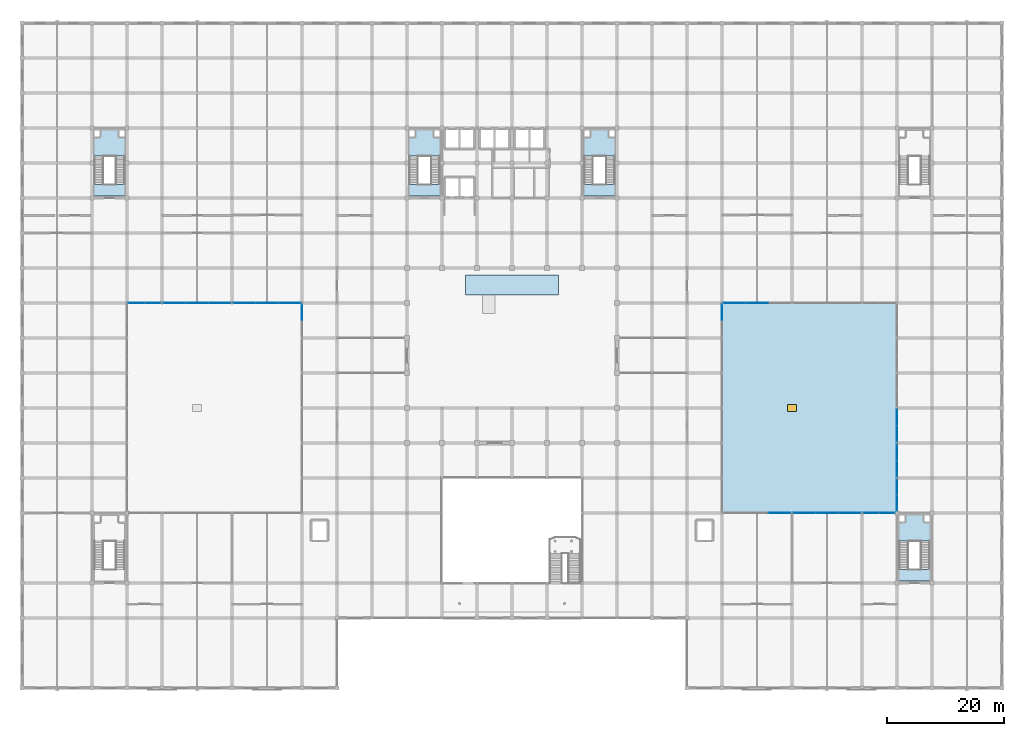
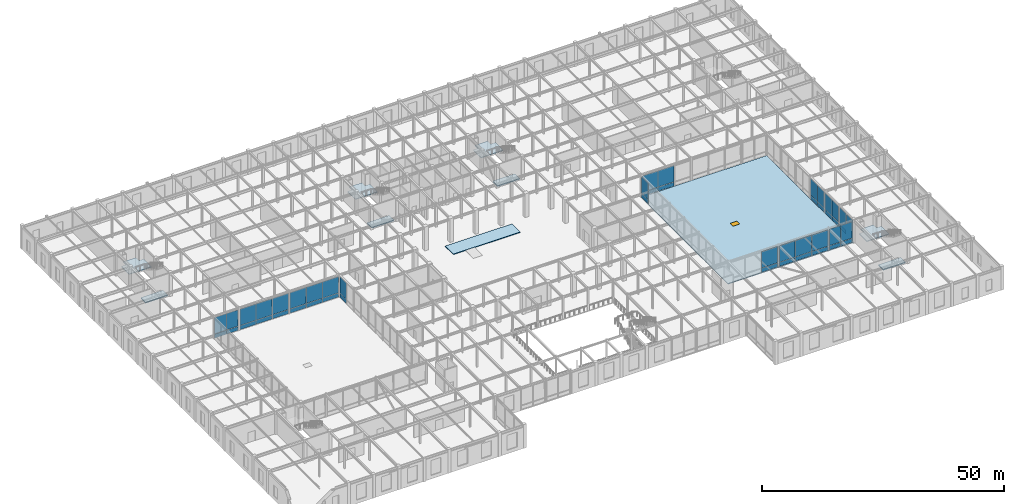
# One storey, part 95 of 108: 48 plates, 10 slabs, 1 window, 1 opening, 16 elements without a shape of their own.
"""IFC4 building model written with IfcOpenShell, lengths in metres."""

from ifc_helpers import new_model, si_unit, direction, frame, origin, origin_2d, place, context, subcontext, project, spatial, polyline, rectangle, outline, extrude, material, layer, layer_set, type_object, element, fill, aggregate, save


model = new_model("IFC4")

# Units and contexts
model_context = context("Model", 3, precision=1e-05, world=origin(), true_north=direction((0.0, 1.0)))
body_context = subcontext(model_context, "Body", "Model", "MODEL_VIEW")
ifc_project = project(units=[si_unit("LENGTHUNIT", "METRE"), si_unit("AREAUNIT", "SQUARE_METRE"), si_unit("VOLUMEUNIT", "CUBIC_METRE"), si_unit("PLANEANGLEUNIT", "RADIAN"), si_unit("MASSUNIT", "GRAM", prefix="KILO")], contexts=[model_context])

# Site, building, storey
site_placement = place(None, origin())
site = spatial("IfcSite", under=ifc_project, at=site_placement, CompositionType="ELEMENT")
building_placement = place(site_placement, origin())
building = spatial("IfcBuilding", under=site, at=building_placement, Name="Zlatovratsky Civic Hall", CompositionType="ELEMENT")
storey_placement = place(building_placement, frame((0.0, 0.0, 6.0)))
storey = spatial("IfcBuildingStorey", under=building, at=storey_placement, Name="L02", CompositionType="ELEMENT", Elevation=6.0)

# Curtain wall, plates
ifc_material_1 = material(Name="Anodised bronze aluminium", Category="aluminium")
ifc_layer_1 = layer(ifc_material_1, 0.159912109375)
ifc_layer_set_1 = layer_set([ifc_layer_1], Name="Anodised bronze aluminium")
curtain_wall_type_1 = type_object("IfcCurtainWallType", Name="CurtainWall_Bronze_5700x5310_06", PredefinedType="NOTDEFINED", material=ifc_layer_set_1)
curtain_wall_1_placement = place(storey_placement, origin())
curtain_wall_1 = element("IfcCurtainWall", 1, at=curtain_wall_1_placement, inside=storey, type_object=curtain_wall_type_1, Name="CW-012", PredefinedType="NOTDEFINED")
ifc_material_2 = material(Name="Low-E laminated double glazing", Category="glass")
ifc_layer_2 = layer(ifc_material_2, 0.02392578125)
ifc_layer_set_2 = layer_set([ifc_layer_2], Name="Low-E laminated double glazing")
plate_type = type_object("IfcPlateType", Name="Panel_CourtGlazing_24", PredefinedType="CURTAIN_PANEL", material=ifc_layer_set_2)
plate_1_placement = place(storey_placement, frame((19.590087890625, 66.0, 0.06005859375), z_axis=(0.0, 0.0, 1.0), x_axis=(1.0, 0.0, 0.0)))
plate_1 = element("IfcPlate", 2, at=plate_1_placement, type_object=plate_type, Name="CW-06 panel 1.1", PredefinedType="CURTAIN_PANEL", context=body_context, shape_type="SweptSolid", body=[
    extrude(rectangle(XDim=2.760009765625, YDim=0.02392578125, at=origin_2d()), origin(), (0.0, 0.0, 1.0), 1.010009765625),
])
plate_2_placement = place(storey_placement, frame((19.590087890625, 66.0, 1.1298828125), z_axis=(0.0, 0.0, 1.0), x_axis=(1.0, 0.0, 0.0)))
plate_2 = element("IfcPlate", 3, at=plate_2_placement, type_object=plate_type, Name="CW-06 panel 1.2", PredefinedType="CURTAIN_PANEL", context=body_context, shape_type="SweptSolid", body=[
    extrude(rectangle(XDim=2.760009765625, YDim=0.02392578125, at=origin_2d()), origin(), (0.0, 0.0, 1.0), 4.1201171875),
])
plate_3_placement = place(storey_placement, frame((22.409912109375, 66.0, 0.06005859375), z_axis=(0.0, 0.0, 1.0), x_axis=(1.0, 0.0, 0.0)))
plate_3 = element("IfcPlate", 4, at=plate_3_placement, type_object=plate_type, Name="CW-06 panel 2.1", PredefinedType="CURTAIN_PANEL", context=body_context, shape_type="SweptSolid", body=[
    extrude(rectangle(XDim=2.760009765625, YDim=0.02392578125, at=origin_2d()), origin(), (0.0, 0.0, 1.0), 1.010009765625),
])
plate_4_placement = place(storey_placement, frame((22.409912109375, 66.0, 1.1298828125), z_axis=(0.0, 0.0, 1.0), x_axis=(1.0, 0.0, 0.0)))
plate_4 = element("IfcPlate", 5, at=plate_4_placement, type_object=plate_type, Name="CW-06 panel 2.2", PredefinedType="CURTAIN_PANEL", context=body_context, shape_type="SweptSolid", body=[
    extrude(rectangle(XDim=2.760009765625, YDim=0.02392578125, at=origin_2d()), origin(), (0.0, 0.0, 1.0), 4.1201171875),
])
aggregate(curtain_wall_1, [plate_1, plate_2, plate_3, plate_4])

ifc_layer_3 = layer(ifc_material_1, 0.159912109375)
ifc_layer_set_3 = layer_set([ifc_layer_3], Name="Anodised bronze aluminium")
curtain_wall_type_2 = type_object("IfcCurtainWallType", Name="CurtainWall_Bronze_11700x5310_05", PredefinedType="NOTDEFINED", material=ifc_layer_set_3)
curtain_wall_2_placement = place(storey_placement, origin())
curtain_wall_2 = element("IfcCurtainWall", 6, at=curtain_wall_2_placement, inside=storey, type_object=curtain_wall_type_2, Name="CW-013", PredefinedType="NOTDEFINED")
plate_5_placement = place(storey_placement, frame((26.114990234375, 66.0, 0.06005859375), z_axis=(0.0, 0.0, 1.0), x_axis=(1.0, 0.0, 0.0)))
plate_5 = element("IfcPlate", 7, at=plate_5_placement, type_object=plate_type, Name="CW-05 panel 1.1", PredefinedType="CURTAIN_PANEL", context=body_context, shape_type="SweptSolid", body=[
    extrude(rectangle(XDim=3.81005859375, YDim=0.02392578125, at=origin_2d()), origin(), (0.0, 0.0, 1.0), 1.010009765625),
])
plate_6_placement = place(storey_placement, frame((26.114990234375, 66.0, 1.1298828125), z_axis=(0.0, 0.0, 1.0), x_axis=(1.0, 0.0, 0.0)))
plate_6 = element("IfcPlate", 8, at=plate_6_placement, type_object=plate_type, Name="CW-05 panel 1.2", PredefinedType="CURTAIN_PANEL", context=body_context, shape_type="SweptSolid", body=[
    extrude(rectangle(XDim=3.81005859375, YDim=0.02392578125, at=origin_2d()), origin(), (0.0, 0.0, 1.0), 4.1201171875),
])
plate_7_placement = place(storey_placement, frame((30.0, 66.0, 0.06005859375), z_axis=(0.0, 0.0, 1.0), x_axis=(1.0, 0.0, 0.0)))
plate_7 = element("IfcPlate", 9, at=plate_7_placement, type_object=plate_type, Name="CW-05 panel 2.1", PredefinedType="CURTAIN_PANEL", context=body_context, shape_type="SweptSolid", body=[
    extrude(rectangle(XDim=3.840087890625, YDim=0.02392578125, at=origin_2d()), origin(), (0.0, 0.0, 1.0), 1.010009765625),
])
plate_8_placement = place(storey_placement, frame((30.0, 66.0, 1.1298828125), z_axis=(0.0, 0.0, 1.0), x_axis=(1.0, 0.0, 0.0)))
plate_8 = element("IfcPlate", 10, at=plate_8_placement, type_object=plate_type, Name="CW-05 panel 2.2", PredefinedType="CURTAIN_PANEL", context=body_context, shape_type="SweptSolid", body=[
    extrude(rectangle(XDim=3.840087890625, YDim=0.02392578125, at=origin_2d()), origin(), (0.0, 0.0, 1.0), 4.1201171875),
])
plate_9_placement = place(storey_placement, frame((33.885009765625, 66.0, 0.06005859375), z_axis=(0.0, 0.0, 1.0), x_axis=(1.0, 0.0, 0.0)))
plate_9 = element("IfcPlate", 11, at=plate_9_placement, type_object=plate_type, Name="CW-05 panel 3.1", PredefinedType="CURTAIN_PANEL", context=body_context, shape_type="SweptSolid", body=[
    extrude(rectangle(XDim=3.81005859375, YDim=0.02392578125, at=origin_2d()), origin(), (0.0, 0.0, 1.0), 1.010009765625),
])
plate_10_placement = place(storey_placement, frame((33.885009765625, 66.0, 1.1298828125), z_axis=(0.0, 0.0, 1.0), x_axis=(1.0, 0.0, 0.0)))
plate_10 = element("IfcPlate", 12, at=plate_10_placement, type_object=plate_type, Name="CW-05 panel 3.2", PredefinedType="CURTAIN_PANEL", context=body_context, shape_type="SweptSolid", body=[
    extrude(rectangle(XDim=3.81005859375, YDim=0.02392578125, at=origin_2d()), origin(), (0.0, 0.0, 1.0), 4.1201171875),
])
aggregate(curtain_wall_2, [plate_5, plate_6, plate_7, plate_8, plate_9, plate_10])

curtain_wall_3_placement = place(storey_placement, origin())
curtain_wall_3 = element("IfcCurtainWall", 13, at=curtain_wall_3_placement, inside=storey, type_object=curtain_wall_type_2, Name="CW-014", PredefinedType="NOTDEFINED")
plate_11_placement = place(storey_placement, frame((38.114990234375, 66.0, 0.06005859375), z_axis=(0.0, 0.0, 1.0), x_axis=(1.0, 0.0, 0.0)))
plate_11 = element("IfcPlate", 14, at=plate_11_placement, type_object=plate_type, Name="CW-05 panel 1.1", PredefinedType="CURTAIN_PANEL", context=body_context, shape_type="SweptSolid", body=[
    extrude(rectangle(XDim=3.81005859375, YDim=0.02392578125, at=origin_2d()), origin(), (0.0, 0.0, 1.0), 1.010009765625),
])
plate_12_placement = place(storey_placement, frame((38.114990234375, 66.0, 1.1298828125), z_axis=(0.0, 0.0, 1.0), x_axis=(1.0, 0.0, 0.0)))
plate_12 = element("IfcPlate", 15, at=plate_12_placement, type_object=plate_type, Name="CW-05 panel 1.2", PredefinedType="CURTAIN_PANEL", context=body_context, shape_type="SweptSolid", body=[
    extrude(rectangle(XDim=3.81005859375, YDim=0.02392578125, at=origin_2d()), origin(), (0.0, 0.0, 1.0), 4.1201171875),
])
plate_13_placement = place(storey_placement, frame((42.0, 66.0, 0.06005859375), z_axis=(0.0, 0.0, 1.0), x_axis=(1.0, 0.0, 0.0)))
plate_13 = element("IfcPlate", 16, at=plate_13_placement, type_object=plate_type, Name="CW-05 panel 2.1", PredefinedType="CURTAIN_PANEL", context=body_context, shape_type="SweptSolid", body=[
    extrude(rectangle(XDim=3.840087890625, YDim=0.02392578125, at=origin_2d()), origin(), (0.0, 0.0, 1.0), 1.010009765625),
])
plate_14_placement = place(storey_placement, frame((42.0, 66.0, 1.1298828125), z_axis=(0.0, 0.0, 1.0), x_axis=(1.0, 0.0, 0.0)))
plate_14 = element("IfcPlate", 17, at=plate_14_placement, type_object=plate_type, Name="CW-05 panel 2.2", PredefinedType="CURTAIN_PANEL", context=body_context, shape_type="SweptSolid", body=[
    extrude(rectangle(XDim=3.840087890625, YDim=0.02392578125, at=origin_2d()), origin(), (0.0, 0.0, 1.0), 4.1201171875),
])
plate_15_placement = place(storey_placement, frame((45.885009765625, 66.0, 0.06005859375), z_axis=(0.0, 0.0, 1.0), x_axis=(1.0, 0.0, 0.0)))
plate_15 = element("IfcPlate", 18, at=plate_15_placement, type_object=plate_type, Name="CW-05 panel 3.1", PredefinedType="CURTAIN_PANEL", context=body_context, shape_type="SweptSolid", body=[
    extrude(rectangle(XDim=3.81005859375, YDim=0.02392578125, at=origin_2d()), origin(), (0.0, 0.0, 1.0), 1.010009765625),
])
plate_16_placement = place(storey_placement, frame((45.885009765625, 66.0, 1.1298828125), z_axis=(0.0, 0.0, 1.0), x_axis=(1.0, 0.0, 0.0)))
plate_16 = element("IfcPlate", 19, at=plate_16_placement, type_object=plate_type, Name="CW-05 panel 3.2", PredefinedType="CURTAIN_PANEL", context=body_context, shape_type="SweptSolid", body=[
    extrude(rectangle(XDim=3.81005859375, YDim=0.02392578125, at=origin_2d()), origin(), (0.0, 0.0, 1.0), 4.1201171875),
])
aggregate(curtain_wall_3, [plate_11, plate_12, plate_13, plate_14, plate_15, plate_16])

curtain_wall_4_placement = place(storey_placement, origin())
curtain_wall_4 = element("IfcCurtainWall", 20, at=curtain_wall_4_placement, inside=storey, type_object=curtain_wall_type_1, Name="CW-026", PredefinedType="NOTDEFINED")
plate_17_placement = place(storey_placement, frame((48.0, 64.409912109375, 0.06005859375), z_axis=(0.0, 0.0, 1.0), x_axis=(0.0, 1.0, 0.0)))
plate_17 = element("IfcPlate", 21, at=plate_17_placement, type_object=plate_type, Name="CW-06 panel 2.1", PredefinedType="CURTAIN_PANEL", context=body_context, shape_type="SweptSolid", body=[
    extrude(rectangle(XDim=2.760009765625, YDim=0.02392578125, at=origin_2d()), origin(), (0.0, 0.0, 1.0), 1.010009765625),
])
plate_18_placement = place(storey_placement, frame((48.0, 64.409912109375, 1.1298828125), z_axis=(0.0, 0.0, 1.0), x_axis=(0.0, 1.0, 0.0)))
plate_18 = element("IfcPlate", 22, at=plate_18_placement, type_object=plate_type, Name="CW-06 panel 2.2", PredefinedType="CURTAIN_PANEL", context=body_context, shape_type="SweptSolid", body=[
    extrude(rectangle(XDim=2.760009765625, YDim=0.02392578125, at=origin_2d()), origin(), (0.0, 0.0, 1.0), 4.1201171875),
])
aggregate(curtain_wall_4, [plate_17, plate_18])

curtain_wall_5_placement = place(storey_placement, origin())
curtain_wall_5 = element("IfcCurtainWall", 23, at=curtain_wall_5_placement, inside=storey, type_object=curtain_wall_type_2, Name="CW-027", PredefinedType="NOTDEFINED")
plate_19_placement = place(storey_placement, frame((129.885009765625, 30.0, 0.06005859375), z_axis=(0.0, 0.0, 1.0), x_axis=(1.0, 0.0, 0.0)))
plate_19 = element("IfcPlate", 24, at=plate_19_placement, type_object=plate_type, Name="CW-05 panel 3.1", PredefinedType="CURTAIN_PANEL", context=body_context, shape_type="SweptSolid", body=[
    extrude(rectangle(XDim=3.81005859375, YDim=0.02392578125, at=origin_2d()), origin(), (0.0, 0.0, 1.0), 1.010009765625),
])
plate_20_placement = place(storey_placement, frame((129.885009765625, 30.0, 1.1298828125), z_axis=(0.0, 0.0, 1.0), x_axis=(1.0, 0.0, 0.0)))
plate_20 = element("IfcPlate", 25, at=plate_20_placement, type_object=plate_type, Name="CW-05 panel 3.2", PredefinedType="CURTAIN_PANEL", context=body_context, shape_type="SweptSolid", body=[
    extrude(rectangle(XDim=3.81005859375, YDim=0.02392578125, at=origin_2d()), origin(), (0.0, 0.0, 1.0), 4.1201171875),
])
aggregate(curtain_wall_5, [plate_19, plate_20])

curtain_wall_6_placement = place(storey_placement, origin())
curtain_wall_6 = element("IfcCurtainWall", 26, at=curtain_wall_6_placement, inside=storey, type_object=curtain_wall_type_2, Name="CW-028", PredefinedType="NOTDEFINED")
plate_21_placement = place(storey_placement, frame((134.114990234375, 30.0, 0.06005859375), z_axis=(0.0, 0.0, 1.0), x_axis=(1.0, 0.0, 0.0)))
plate_21 = element("IfcPlate", 27, at=plate_21_placement, type_object=plate_type, Name="CW-05 panel 1.1", PredefinedType="CURTAIN_PANEL", context=body_context, shape_type="SweptSolid", body=[
    extrude(rectangle(XDim=3.81005859375, YDim=0.02392578125, at=origin_2d()), origin(), (0.0, 0.0, 1.0), 1.010009765625),
])
plate_22_placement = place(storey_placement, frame((134.114990234375, 30.0, 1.1298828125), z_axis=(0.0, 0.0, 1.0), x_axis=(1.0, 0.0, 0.0)))
plate_22 = element("IfcPlate", 28, at=plate_22_placement, type_object=plate_type, Name="CW-05 panel 1.2", PredefinedType="CURTAIN_PANEL", context=body_context, shape_type="SweptSolid", body=[
    extrude(rectangle(XDim=3.81005859375, YDim=0.02392578125, at=origin_2d()), origin(), (0.0, 0.0, 1.0), 4.1201171875),
])
plate_23_placement = place(storey_placement, frame((138.0, 30.0, 0.06005859375), z_axis=(0.0, 0.0, 1.0), x_axis=(1.0, 0.0, 0.0)))
plate_23 = element("IfcPlate", 29, at=plate_23_placement, type_object=plate_type, Name="CW-05 panel 2.1", PredefinedType="CURTAIN_PANEL", context=body_context, shape_type="SweptSolid", body=[
    extrude(rectangle(XDim=3.840087890625, YDim=0.02392578125, at=origin_2d()), origin(), (0.0, 0.0, 1.0), 1.010009765625),
])
plate_24_placement = place(storey_placement, frame((138.0, 30.0, 1.1298828125), z_axis=(0.0, 0.0, 1.0), x_axis=(1.0, 0.0, 0.0)))
plate_24 = element("IfcPlate", 30, at=plate_24_placement, type_object=plate_type, Name="CW-05 panel 2.2", PredefinedType="CURTAIN_PANEL", context=body_context, shape_type="SweptSolid", body=[
    extrude(rectangle(XDim=3.840087890625, YDim=0.02392578125, at=origin_2d()), origin(), (0.0, 0.0, 1.0), 4.1201171875),
])
plate_25_placement = place(storey_placement, frame((141.885009765625, 30.0, 0.06005859375), z_axis=(0.0, 0.0, 1.0), x_axis=(1.0, 0.0, 0.0)))
plate_25 = element("IfcPlate", 31, at=plate_25_placement, type_object=plate_type, Name="CW-05 panel 3.1", PredefinedType="CURTAIN_PANEL", context=body_context, shape_type="SweptSolid", body=[
    extrude(rectangle(XDim=3.81005859375, YDim=0.02392578125, at=origin_2d()), origin(), (0.0, 0.0, 1.0), 1.010009765625),
])
plate_26_placement = place(storey_placement, frame((141.885009765625, 30.0, 1.1298828125), z_axis=(0.0, 0.0, 1.0), x_axis=(1.0, 0.0, 0.0)))
plate_26 = element("IfcPlate", 32, at=plate_26_placement, type_object=plate_type, Name="CW-05 panel 3.2", PredefinedType="CURTAIN_PANEL", context=body_context, shape_type="SweptSolid", body=[
    extrude(rectangle(XDim=3.81005859375, YDim=0.02392578125, at=origin_2d()), origin(), (0.0, 0.0, 1.0), 4.1201171875),
])
aggregate(curtain_wall_6, [plate_21, plate_22, plate_23, plate_24, plate_25, plate_26])

ifc_layer_4 = layer(ifc_material_1, 0.159912109375)
ifc_layer_set_4 = layer_set([ifc_layer_4], Name="Anodised bronze aluminium")
curtain_wall_type_3 = type_object("IfcCurtainWallType", Name="CurtainWall_Bronze_5500x5310_04", PredefinedType="NOTDEFINED", material=ifc_layer_set_4)
curtain_wall_7_placement = place(storey_placement, origin())
curtain_wall_7 = element("IfcCurtainWall", 33, at=curtain_wall_7_placement, inside=storey, type_object=curtain_wall_type_3, Name="CW-029", PredefinedType="NOTDEFINED")
plate_27_placement = place(storey_placement, frame((145.5400390625, 30.0, 0.06005859375), z_axis=(0.0, 0.0, 1.0), x_axis=(1.0, 0.0, 0.0)))
plate_27 = element("IfcPlate", 34, at=plate_27_placement, type_object=plate_type, Name="CW-04 panel 1.1", PredefinedType="CURTAIN_PANEL", context=body_context, shape_type="SweptSolid", body=[
    extrude(rectangle(XDim=2.659912109375, YDim=0.02392578125, at=origin_2d()), origin(), (0.0, 0.0, 1.0), 1.010009765625),
])
plate_28_placement = place(storey_placement, frame((145.5400390625, 30.0, 1.1298828125), z_axis=(0.0, 0.0, 1.0), x_axis=(1.0, 0.0, 0.0)))
plate_28 = element("IfcPlate", 35, at=plate_28_placement, type_object=plate_type, Name="CW-04 panel 1.2", PredefinedType="CURTAIN_PANEL", context=body_context, shape_type="SweptSolid", body=[
    extrude(rectangle(XDim=2.659912109375, YDim=0.02392578125, at=origin_2d()), origin(), (0.0, 0.0, 1.0), 4.1201171875),
])
plate_29_placement = place(storey_placement, frame((148.260009765625, 30.0, 0.06005859375), z_axis=(0.0, 0.0, 1.0), x_axis=(1.0, 0.0, 0.0)))
plate_29 = element("IfcPlate", 36, at=plate_29_placement, type_object=plate_type, Name="CW-04 panel 2.1", PredefinedType="CURTAIN_PANEL", context=body_context, shape_type="SweptSolid", body=[
    extrude(rectangle(XDim=2.659912109375, YDim=0.02392578125, at=origin_2d()), origin(), (0.0, 0.0, 1.0), 1.010009765625),
])
plate_30_placement = place(storey_placement, frame((148.260009765625, 30.0, 1.1298828125), z_axis=(0.0, 0.0, 1.0), x_axis=(1.0, 0.0, 0.0)))
plate_30 = element("IfcPlate", 37, at=plate_30_placement, type_object=plate_type, Name="CW-04 panel 2.2", PredefinedType="CURTAIN_PANEL", context=body_context, shape_type="SweptSolid", body=[
    extrude(rectangle(XDim=2.659912109375, YDim=0.02392578125, at=origin_2d()), origin(), (0.0, 0.0, 1.0), 4.1201171875),
])
aggregate(curtain_wall_7, [plate_27, plate_28, plate_29, plate_30])

curtain_wall_8_placement = place(storey_placement, origin())
curtain_wall_8 = element("IfcCurtainWall", 38, at=curtain_wall_8_placement, inside=storey, type_object=curtain_wall_type_2, Name="CW-030", PredefinedType="NOTDEFINED")
plate_31_placement = place(storey_placement, frame((122.114990234375, 66.0, 0.06005859375), z_axis=(0.0, 0.0, 1.0), x_axis=(1.0, 0.0, 0.0)))
plate_31 = element("IfcPlate", 39, at=plate_31_placement, type_object=plate_type, Name="CW-05 panel 1.1", PredefinedType="CURTAIN_PANEL", context=body_context, shape_type="SweptSolid", body=[
    extrude(rectangle(XDim=3.81005859375, YDim=0.02392578125, at=origin_2d()), origin(), (0.0, 0.0, 1.0), 1.010009765625),
])
plate_32_placement = place(storey_placement, frame((122.114990234375, 66.0, 1.1298828125), z_axis=(0.0, 0.0, 1.0), x_axis=(1.0, 0.0, 0.0)))
plate_32 = element("IfcPlate", 40, at=plate_32_placement, type_object=plate_type, Name="CW-05 panel 1.2", PredefinedType="CURTAIN_PANEL", context=body_context, shape_type="SweptSolid", body=[
    extrude(rectangle(XDim=3.81005859375, YDim=0.02392578125, at=origin_2d()), origin(), (0.0, 0.0, 1.0), 4.1201171875),
])
plate_33_placement = place(storey_placement, frame((126.0, 66.0, 0.06005859375), z_axis=(0.0, 0.0, 1.0), x_axis=(1.0, 0.0, 0.0)))
plate_33 = element("IfcPlate", 41, at=plate_33_placement, type_object=plate_type, Name="CW-05 panel 2.1", PredefinedType="CURTAIN_PANEL", context=body_context, shape_type="SweptSolid", body=[
    extrude(rectangle(XDim=3.840087890625, YDim=0.02392578125, at=origin_2d()), origin(), (0.0, 0.0, 1.0), 1.010009765625),
])
plate_34_placement = place(storey_placement, frame((126.0, 66.0, 1.1298828125), z_axis=(0.0, 0.0, 1.0), x_axis=(1.0, 0.0, 0.0)))
plate_34 = element("IfcPlate", 42, at=plate_34_placement, type_object=plate_type, Name="CW-05 panel 2.2", PredefinedType="CURTAIN_PANEL", context=body_context, shape_type="SweptSolid", body=[
    extrude(rectangle(XDim=3.840087890625, YDim=0.02392578125, at=origin_2d()), origin(), (0.0, 0.0, 1.0), 4.1201171875),
])
aggregate(curtain_wall_8, [plate_31, plate_32, plate_33, plate_34])

curtain_wall_9_placement = place(storey_placement, origin())
curtain_wall_9 = element("IfcCurtainWall", 43, at=curtain_wall_9_placement, inside=storey, type_object=curtain_wall_type_1, Name="CW-038", PredefinedType="NOTDEFINED")
plate_35_placement = place(storey_placement, frame((120.0, 64.409912109375, 0.06005859375), z_axis=(0.0, 0.0, 1.0), x_axis=(0.0, 1.0, 0.0)))
plate_35 = element("IfcPlate", 44, at=plate_35_placement, type_object=plate_type, Name="CW-06 panel 2.1", PredefinedType="CURTAIN_PANEL", context=body_context, shape_type="SweptSolid", body=[
    extrude(rectangle(XDim=2.760009765625, YDim=0.02392578125, at=origin_2d()), origin(), (0.0, 0.0, 1.0), 1.010009765625),
])
plate_36_placement = place(storey_placement, frame((120.0, 64.409912109375, 1.1298828125), z_axis=(0.0, 0.0, 1.0), x_axis=(0.0, 1.0, 0.0)))
plate_36 = element("IfcPlate", 45, at=plate_36_placement, type_object=plate_type, Name="CW-06 panel 2.2", PredefinedType="CURTAIN_PANEL", context=body_context, shape_type="SweptSolid", body=[
    extrude(rectangle(XDim=2.760009765625, YDim=0.02392578125, at=origin_2d()), origin(), (0.0, 0.0, 1.0), 4.1201171875),
])
aggregate(curtain_wall_9, [plate_35, plate_36])

curtain_wall_10_placement = place(storey_placement, origin())
curtain_wall_10 = element("IfcCurtainWall", 46, at=curtain_wall_10_placement, inside=storey, type_object=curtain_wall_type_3, Name="CW-039", PredefinedType="NOTDEFINED")
plate_37_placement = place(storey_placement, frame((150.0, 31.739990234375, 0.06005859375), z_axis=(0.0, 0.0, 1.0), x_axis=(0.0, 1.0, 0.0)))
plate_37 = element("IfcPlate", 47, at=plate_37_placement, type_object=plate_type, Name="CW-04 panel 1.1", PredefinedType="CURTAIN_PANEL", context=body_context, shape_type="SweptSolid", body=[
    extrude(rectangle(XDim=2.659912109375, YDim=0.02392578125, at=origin_2d()), origin(), (0.0, 0.0, 1.0), 1.010009765625),
])
plate_38_placement = place(storey_placement, frame((150.0, 31.739990234375, 1.1298828125), z_axis=(0.0, 0.0, 1.0), x_axis=(0.0, 1.0, 0.0)))
plate_38 = element("IfcPlate", 48, at=plate_38_placement, type_object=plate_type, Name="CW-04 panel 1.2", PredefinedType="CURTAIN_PANEL", context=body_context, shape_type="SweptSolid", body=[
    extrude(rectangle(XDim=2.659912109375, YDim=0.02392578125, at=origin_2d()), origin(), (0.0, 0.0, 1.0), 4.1201171875),
])
plate_39_placement = place(storey_placement, frame((150.0, 34.4599609375, 0.06005859375), z_axis=(0.0, 0.0, 1.0), x_axis=(0.0, 1.0, 0.0)))
plate_39 = element("IfcPlate", 49, at=plate_39_placement, type_object=plate_type, Name="CW-04 panel 2.1", PredefinedType="CURTAIN_PANEL", context=body_context, shape_type="SweptSolid", body=[
    extrude(rectangle(XDim=2.659912109375, YDim=0.02392578125, at=origin_2d()), origin(), (0.0, 0.0, 1.0), 1.010009765625),
])
plate_40_placement = place(storey_placement, frame((150.0, 34.4599609375, 1.1298828125), z_axis=(0.0, 0.0, 1.0), x_axis=(0.0, 1.0, 0.0)))
plate_40 = element("IfcPlate", 50, at=plate_40_placement, type_object=plate_type, Name="CW-04 panel 2.2", PredefinedType="CURTAIN_PANEL", context=body_context, shape_type="SweptSolid", body=[
    extrude(rectangle(XDim=2.659912109375, YDim=0.02392578125, at=origin_2d()), origin(), (0.0, 0.0, 1.0), 4.1201171875),
])
aggregate(curtain_wall_10, [plate_37, plate_38, plate_39, plate_40])

curtain_wall_11_placement = place(storey_placement, origin())
curtain_wall_11 = element("IfcCurtainWall", 51, at=curtain_wall_11_placement, inside=storey, type_object=curtain_wall_type_1, Name="CW-040", PredefinedType="NOTDEFINED")
plate_41_placement = place(storey_placement, frame((150.0, 37.590087890625, 0.06005859375), z_axis=(0.0, 0.0, 1.0), x_axis=(0.0, 1.0, 0.0)))
plate_41 = element("IfcPlate", 52, at=plate_41_placement, type_object=plate_type, Name="CW-06 panel 1.1", PredefinedType="CURTAIN_PANEL", context=body_context, shape_type="SweptSolid", body=[
    extrude(rectangle(XDim=2.760009765625, YDim=0.02392578125, at=origin_2d()), origin(), (0.0, 0.0, 1.0), 1.010009765625),
])
plate_42_placement = place(storey_placement, frame((150.0, 37.590087890625, 1.1298828125), z_axis=(0.0, 0.0, 1.0), x_axis=(0.0, 1.0, 0.0)))
plate_42 = element("IfcPlate", 53, at=plate_42_placement, type_object=plate_type, Name="CW-06 panel 1.2", PredefinedType="CURTAIN_PANEL", context=body_context, shape_type="SweptSolid", body=[
    extrude(rectangle(XDim=2.760009765625, YDim=0.02392578125, at=origin_2d()), origin(), (0.0, 0.0, 1.0), 4.1201171875),
])
plate_43_placement = place(storey_placement, frame((150.0, 40.409912109375, 0.06005859375), z_axis=(0.0, 0.0, 1.0), x_axis=(0.0, 1.0, 0.0)))
plate_43 = element("IfcPlate", 54, at=plate_43_placement, type_object=plate_type, Name="CW-06 panel 2.1", PredefinedType="CURTAIN_PANEL", context=body_context, shape_type="SweptSolid", body=[
    extrude(rectangle(XDim=2.760009765625, YDim=0.02392578125, at=origin_2d()), origin(), (0.0, 0.0, 1.0), 1.010009765625),
])
plate_44_placement = place(storey_placement, frame((150.0, 40.409912109375, 1.1298828125), z_axis=(0.0, 0.0, 1.0), x_axis=(0.0, 1.0, 0.0)))
plate_44 = element("IfcPlate", 55, at=plate_44_placement, type_object=plate_type, Name="CW-06 panel 2.2", PredefinedType="CURTAIN_PANEL", context=body_context, shape_type="SweptSolid", body=[
    extrude(rectangle(XDim=2.760009765625, YDim=0.02392578125, at=origin_2d()), origin(), (0.0, 0.0, 1.0), 4.1201171875),
])
aggregate(curtain_wall_11, [plate_41, plate_42, plate_43, plate_44])

curtain_wall_12_placement = place(storey_placement, origin())
curtain_wall_12 = element("IfcCurtainWall", 56, at=curtain_wall_12_placement, inside=storey, type_object=curtain_wall_type_1, Name="CW-041", PredefinedType="NOTDEFINED")
plate_45_placement = place(storey_placement, frame((150.0, 43.590087890625, 0.06005859375), z_axis=(0.0, 0.0, 1.0), x_axis=(0.0, 1.0, 0.0)))
plate_45 = element("IfcPlate", 57, at=plate_45_placement, type_object=plate_type, Name="CW-06 panel 1.1", PredefinedType="CURTAIN_PANEL", context=body_context, shape_type="SweptSolid", body=[
    extrude(rectangle(XDim=2.760009765625, YDim=0.02392578125, at=origin_2d()), origin(), (0.0, 0.0, 1.0), 1.010009765625),
])
plate_46_placement = place(storey_placement, frame((150.0, 43.590087890625, 1.1298828125), z_axis=(0.0, 0.0, 1.0), x_axis=(0.0, 1.0, 0.0)))
plate_46 = element("IfcPlate", 58, at=plate_46_placement, type_object=plate_type, Name="CW-06 panel 1.2", PredefinedType="CURTAIN_PANEL", context=body_context, shape_type="SweptSolid", body=[
    extrude(rectangle(XDim=2.760009765625, YDim=0.02392578125, at=origin_2d()), origin(), (0.0, 0.0, 1.0), 4.1201171875),
])
plate_47_placement = place(storey_placement, frame((150.0, 46.409912109375, 0.06005859375), z_axis=(0.0, 0.0, 1.0), x_axis=(0.0, 1.0, 0.0)))
plate_47 = element("IfcPlate", 59, at=plate_47_placement, type_object=plate_type, Name="CW-06 panel 2.1", PredefinedType="CURTAIN_PANEL", context=body_context, shape_type="SweptSolid", body=[
    extrude(rectangle(XDim=2.760009765625, YDim=0.02392578125, at=origin_2d()), origin(), (0.0, 0.0, 1.0), 1.010009765625),
])
plate_48_placement = place(storey_placement, frame((150.0, 46.409912109375, 1.1298828125), z_axis=(0.0, 0.0, 1.0), x_axis=(0.0, 1.0, 0.0)))
plate_48 = element("IfcPlate", 60, at=plate_48_placement, type_object=plate_type, Name="CW-06 panel 2.2", PredefinedType="CURTAIN_PANEL", context=body_context, shape_type="SweptSolid", body=[
    extrude(rectangle(XDim=2.760009765625, YDim=0.02392578125, at=origin_2d()), origin(), (0.0, 0.0, 1.0), 4.1201171875),
])
aggregate(curtain_wall_12, [plate_45, plate_46, plate_47, plate_48])

# Slab, opening, window
ifc_material_3 = material(Name="Concrete C35/45 (B40)", Category="concrete")
ifc_layer_5 = layer(ifc_material_3, 0.199951171875)
ifc_layer_set_5 = layer_set([ifc_layer_5], Name="Concrete C35/45 (B40)")
slab_type_1 = type_object("IfcSlabType", Name="Slab_ChamberCofferedRoof_200", PredefinedType="ROOF", material=ifc_layer_set_5)
slab_1_placement = place(storey_placement, frame((0.0, 0.0, -0.199951171875)))
slab_1 = element("IfcSlab", 61, at=slab_1_placement, inside=storey, type_object=slab_type_1, Name="SL-095", PredefinedType="ROOF", context=body_context, shape_type="SweptSolid", body=[
    extrude(outline(polyline([(120.0, 30.0), (150.0, 30.0), (150.0, 66.0), (120.0, 66.0), (120.0, 30.0)])), origin(), (0.0, 0.0, 1.0), 0.199951171875),
])
opening_placement = place(slab_1_placement, frame((132.0, 48.0, 0.0)))
opening = element("IfcOpeningElement", 62, at=opening_placement, cuts=slab_1, Name="Opening SK-07", PredefinedType="OPENING", context=body_context, shape_type="SweptSolid", body=[
    extrude(rectangle(XDim=1.60009765625, YDim=1.199951171875, at=origin_2d()), frame((0.0, 0.0, -0.014892578125)), (0.0, 0.0, 1.0), 0.229736328125),
])
ifc_material_4 = material(Name="Laminated safety rooflight glazing", Category="glass")
window_type = type_object("IfcWindowType", Name="Skylight_PodiumRoofHatch_1600x1200", PartitioningType="SINGLE_PANEL", PredefinedType="SKYLIGHT", material=ifc_material_4)
window_placement = place(opening_placement, frame((0.0, 0.0, 0.14990234375)))
window = element("IfcWindow", 63, at=window_placement, inside=storey, type_object=window_type, Name="WN-0556", OverallHeight=1.199951171875, OverallWidth=1.60009765625, PartitioningType="SINGLE_PANEL", PredefinedType="SKYLIGHT", context=body_context, shape_type="SweptSolid", body=[
    extrude(rectangle(XDim=1.60009765625, YDim=1.199951171875, at=origin_2d()), origin(), (0.0, 0.0, 1.0), 0.050048828125),
])
fill(opening, window)

# Slabs
ifc_material_5 = material(Name="Concrete C30/37 (B35)", Category="concrete")
ifc_layer_6 = layer(ifc_material_5, 0.239990234375)
ifc_layer_set_6 = layer_set([ifc_layer_6], Name="Concrete C30/37 (B35)")
slab_type_2 = type_object("IfcSlabType", Name="Slab_CivicPodiumFloor_240", PredefinedType="FLOOR", material=ifc_layer_set_6)
slab_2_placement = place(storey_placement, frame((0.0, 0.0, -0.239990234375)))
element("IfcSlab", 64, at=slab_2_placement, inside=storey, type_object=slab_type_2, Name="SL-023", PredefinedType="FLOOR", context=body_context, shape_type="SweptSolid", body=[
    extrude(outline(polyline([(66.35009765625, 84.35009765625), (71.64990234375, 84.35009765625), (71.64990234375, 86.35009765625), (66.35009765625, 86.35009765625), (66.35009765625, 84.35009765625)])), origin(), (0.0, 0.0, 1.0), 0.239990234375),
])
slab_3_placement = place(storey_placement, frame((0.0, 0.0, -0.239990234375)))
element("IfcSlab", 65, at=slab_3_placement, inside=storey, type_object=slab_type_2, Name="SL-024", PredefinedType="FLOOR", context=body_context, shape_type="SweptSolid", body=[
    extrude(outline(polyline([(96.35009765625, 84.35009765625), (101.64990234375, 84.35009765625), (101.64990234375, 86.35009765625), (96.35009765625, 86.35009765625), (96.35009765625, 84.35009765625)])), origin(), (0.0, 0.0, 1.0), 0.239990234375),
])
slab_4_placement = place(storey_placement, frame((0.0, 0.0, -0.239990234375)))
element("IfcSlab", 66, at=slab_4_placement, inside=storey, type_object=slab_type_2, Name="SL-026", PredefinedType="FLOOR", context=body_context, shape_type="SweptSolid", body=[
    extrude(outline(polyline([(150.35009765625, 18.35009765625), (155.64990234375, 18.35009765625), (155.64990234375, 20.35009765625), (150.35009765625, 20.35009765625), (150.35009765625, 18.35009765625)])), origin(), (0.0, 0.0, 1.0), 0.239990234375),
])
slab_5_placement = place(storey_placement, frame((0.0, 0.0, -0.239990234375)))
element("IfcSlab", 67, at=slab_5_placement, inside=storey, type_object=slab_type_2, Name="SL-027", PredefinedType="FLOOR", context=body_context, shape_type="SweptSolid", body=[
    extrude(outline(polyline([(12.35009765625, 84.35009765625), (17.64990234375, 84.35009765625), (17.64990234375, 86.35009765625), (12.35009765625, 86.35009765625), (12.35009765625, 84.35009765625)])), origin(), (0.0, 0.0, 1.0), 0.239990234375),
])

# Stair, slab
stair_type_1 = type_object("IfcStairType", Name="Stair_HALF_36R_1550W_02", PredefinedType="HALF_TURN_STAIR", material=ifc_material_5)
stair_1_placement = place(storey_placement, origin())
stair_1 = element("IfcStair", 68, at=stair_1_placement, inside=storey, type_object=stair_type_1, Name="ST-003", PredefinedType="HALF_TURN_STAIR")
ifc_layer_7 = layer(ifc_material_5, 0.179931640625)
ifc_layer_set_7 = layer_set([ifc_layer_7], Name="Concrete C30/37 (B35)")
slab_type_3 = type_object("IfcSlabType", Name="Slab_StairLanding_180", PredefinedType="LANDING", material=ifc_layer_set_7)
slab_6_placement = place(storey_placement, frame((0.0, 0.0, 2.820068359375)))
slab_6 = element("IfcSlab", 69, at=slab_6_placement, type_object=slab_type_3, Name="SL-LD-03", PredefinedType="LANDING", context=body_context, shape_type="SweptSolid", body=[
    extrude(outline(polyline([(66.35009765625, 91.195068359375), (71.64990234375, 91.195068359375), (71.64990234375, 94.39990234375), (70.550048828125, 94.39990234375), (70.550048828125, 95.64990234375), (67.449951171875, 95.64990234375), (67.449951171875, 94.39990234375), (66.35009765625, 94.39990234375), (66.35009765625, 91.195068359375)])), origin(), (0.0, 0.0, 1.0), 0.179931640625),
])
aggregate(stair_1, [slab_6])

stair_2_placement = place(storey_placement, origin())
stair_2 = element("IfcStair", 70, at=stair_2_placement, inside=storey, type_object=stair_type_1, Name="ST-022", PredefinedType="HALF_TURN_STAIR")
slab_7_placement = place(storey_placement, frame((0.0, 0.0, 2.820068359375)))
slab_7 = element("IfcSlab", 71, at=slab_7_placement, type_object=slab_type_3, Name="SL-LD-22", PredefinedType="LANDING", context=body_context, shape_type="SweptSolid", body=[
    extrude(outline(polyline([(96.35009765625, 91.195068359375), (101.64990234375, 91.195068359375), (101.64990234375, 94.39990234375), (100.550048828125, 94.39990234375), (100.550048828125, 95.64990234375), (97.449951171875, 95.64990234375), (97.449951171875, 94.39990234375), (96.35009765625, 94.39990234375), (96.35009765625, 91.195068359375)])), origin(), (0.0, 0.0, 1.0), 0.179931640625),
])
aggregate(stair_2, [slab_7])

stair_type_2 = type_object("IfcStairType", Name="Stair_HALF_36R_1600W_07", PredefinedType="HALF_TURN_STAIR", material=ifc_material_5)
stair_3_placement = place(storey_placement, origin())
stair_3 = element("IfcStair", 72, at=stair_3_placement, inside=storey, type_object=stair_type_2, Name="ST-044", PredefinedType="HALF_TURN_STAIR")
slab_8_placement = place(storey_placement, frame((0.0, 0.0, 2.820068359375)))
slab_8 = element("IfcSlab", 73, at=slab_8_placement, type_object=slab_type_3, Name="SL-LD-44", PredefinedType="LANDING", context=body_context, shape_type="SweptSolid", body=[
    extrude(outline(polyline([(150.35009765625, 25.195068359375), (155.64990234375, 25.195068359375), (155.64990234375, 28.39990234375), (154.550048828125, 28.39990234375), (154.550048828125, 29.64990234375), (151.449951171875, 29.64990234375), (151.449951171875, 28.39990234375), (150.35009765625, 28.39990234375), (150.35009765625, 25.195068359375)])), origin(), (0.0, 0.0, 1.0), 0.179931640625),
])
aggregate(stair_3, [slab_8])

stair_4_placement = place(storey_placement, origin())
stair_4 = element("IfcStair", 74, at=stair_4_placement, inside=storey, type_object=stair_type_2, Name="ST-048", PredefinedType="HALF_TURN_STAIR")
slab_9_placement = place(storey_placement, frame((0.0, 0.0, 2.820068359375)))
slab_9 = element("IfcSlab", 75, at=slab_9_placement, type_object=slab_type_3, Name="SL-LD-48", PredefinedType="LANDING", context=body_context, shape_type="SweptSolid", body=[
    extrude(outline(polyline([(12.35009765625, 91.195068359375), (17.64990234375, 91.195068359375), (17.64990234375, 94.39990234375), (16.550048828125, 94.39990234375), (16.550048828125, 95.64990234375), (13.449951171875, 95.64990234375), (13.449951171875, 94.39990234375), (12.35009765625, 94.39990234375), (12.35009765625, 91.195068359375)])), origin(), (0.0, 0.0, 1.0), 0.179931640625),
])
aggregate(stair_4, [slab_9])

# Slab
ifc_layer_8 = layer(ifc_material_5, 0.159912109375)
ifc_layer_set_8 = layer_set([ifc_layer_8], Name="Concrete C30/37 (B35)")
slab_type_4 = type_object("IfcSlabType", Name="Slab_TowerCompositeFloor_160", PredefinedType="FLOOR", material=ifc_layer_set_8)
slab_10_placement = place(storey_placement, origin())
element("IfcSlab", 76, at=slab_10_placement, inside=storey, type_object=slab_type_4, Name="SL-RAMP-DAIS-04", PredefinedType="FLOOR", context=body_context, shape_type="SweptSolid", body=[
    extrude(outline(polyline([(76.0, 67.39990234375), (92.0, 67.39990234375), (92.0, 70.800048828125), (76.0, 70.800048828125), (76.0, 67.39990234375)])), origin(), (0.0, 0.0, 1.0), 0.159912109375),
])

save(model, "model.ifc")
